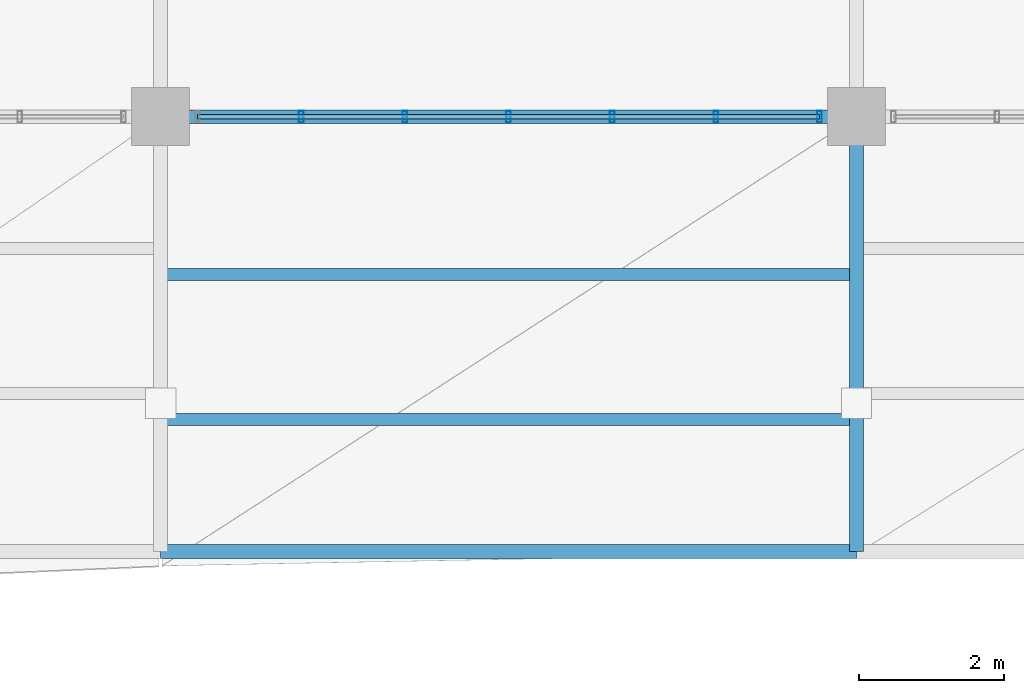
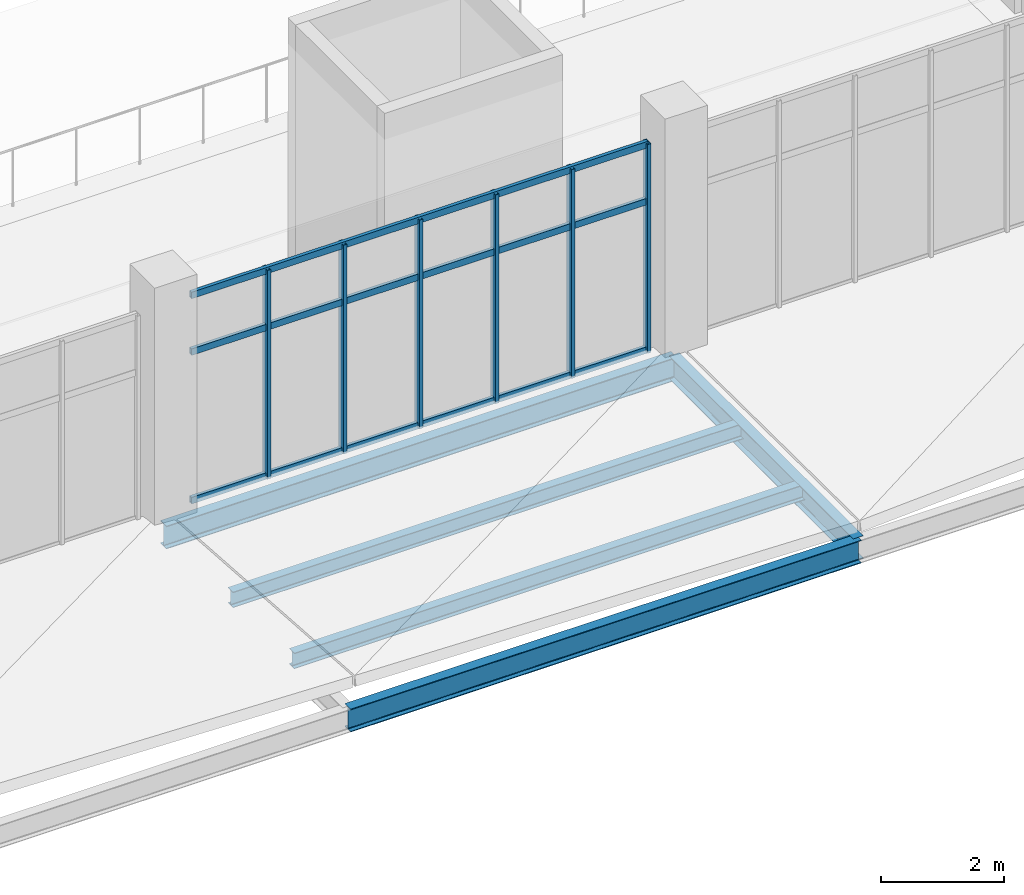
# One storey, part 54 of 157: 9 members, 5 beams, 1 element without a shape of its own.
"""IFC4 building model written with IfcOpenShell, lengths in metres."""

from ifc_helpers import new_model, si_unit, direction, frame, origin, origin_2d, place, context, subcontext, project, spatial, hollow_rectangle, i_section, extrude, material, layer, layer_set, material_profile, profile_set, type_object, element, aggregate, save


model = new_model("IFC4")

# Units and contexts
model_context = context("Model", 3, precision=1e-05, world=origin(), true_north=direction((0.0, 1.0)))
body_context = subcontext(model_context, "Body", "Model", "MODEL_VIEW")
ifc_project = project(units=[si_unit("LENGTHUNIT", "METRE"), si_unit("AREAUNIT", "SQUARE_METRE"), si_unit("VOLUMEUNIT", "CUBIC_METRE"), si_unit("PLANEANGLEUNIT", "RADIAN"), si_unit("MASSUNIT", "GRAM", prefix="KILO")], contexts=[model_context])

# Site, building, storey
site_placement = place(None, origin())
site = spatial("IfcSite", under=ifc_project, at=site_placement, CompositionType="ELEMENT")
building_placement = place(site_placement, origin())
building = spatial("IfcBuilding", under=site, at=building_placement, Name="Chalmorin Arch Market", CompositionType="ELEMENT")
storey_placement = place(building_placement, frame((0.0, 0.0, 4.800048828125)))
storey = spatial("IfcBuildingStorey", under=building, at=storey_placement, Name="L01", CompositionType="ELEMENT", Elevation=4.800048828125)

# Curtain wall, members
ifc_material_1 = material(Name="Aluminium 6063-T6", Category="aluminium")
ifc_layer = layer(ifc_material_1, 0.159912109375)
ifc_layer_set = layer_set([ifc_layer], Name="Aluminium 6063-T6")
curtain_wall_type = type_object("IfcCurtainWallType", Name="MarketClerestoryCurtainWall-CW1-8580x4150", PredefinedType="NOTDEFINED", material=ifc_layer_set)
curtain_wall_placement = place(storey_placement, origin())
curtain_wall = element("IfcCurtainWall", 1, at=curtain_wall_placement, inside=storey, type_object=curtain_wall_type, Name="CW-01-020", PredefinedType="NOTDEFINED")
ifc_material_profile_1 = material_profile(ifc_material_1, hollow_rectangle(XDim=0.06494140625, YDim=0.159912109375, WallThickness=0.00390625, at=origin_2d()), Name="ALU65X160X4")
ifc_profile_set_1 = profile_set([ifc_material_profile_1], Name="Aluminium 6063-T6")
member_type_1 = type_object("IfcMemberType", Name="CurtainWallMullion-65x160", PredefinedType="MULLION", material=ifc_profile_set_1)
member_1_placement = place(storey_placement, frame((107.5400390625, 6.0, 0.0), z_axis=(0.0, 0.0, 1.0), x_axis=(1.0, 0.0, 0.0)))
member_1 = element("IfcMember", 2, at=member_1_placement, type_object=member_type_1, Name="ML-020-02", PredefinedType="MULLION", context=body_context, shape_type="SweptSolid", body=[
    extrude(hollow_rectangle(XDim=0.06494140625, YDim=0.159912109375, WallThickness=0.00390625, at=origin_2d()), origin(), (0.0, 0.0, 1.0), 4.14990234375),
])
member_2_placement = place(storey_placement, frame((108.969970703125, 6.0, 0.0), z_axis=(0.0, 0.0, 1.0), x_axis=(1.0, 0.0, 0.0)))
member_2 = element("IfcMember", 3, at=member_2_placement, type_object=member_type_1, Name="ML-020-03", PredefinedType="MULLION", context=body_context, shape_type="SweptSolid", body=[
    extrude(hollow_rectangle(XDim=0.06494140625, YDim=0.159912109375, WallThickness=0.00390625, at=origin_2d()), origin(), (0.0, 0.0, 1.0), 4.14990234375),
])
member_3_placement = place(storey_placement, frame((110.39990234375, 6.0, 0.0), z_axis=(0.0, 0.0, 1.0), x_axis=(1.0, 0.0, 0.0)))
member_3 = element("IfcMember", 4, at=member_3_placement, type_object=member_type_1, Name="ML-020-04", PredefinedType="MULLION", context=body_context, shape_type="SweptSolid", body=[
    extrude(hollow_rectangle(XDim=0.06494140625, YDim=0.159912109375, WallThickness=0.00390625, at=origin_2d()), origin(), (0.0, 0.0, 1.0), 4.14990234375),
])
member_4_placement = place(storey_placement, frame((111.830078125, 6.0, 0.0), z_axis=(0.0, 0.0, 1.0), x_axis=(1.0, 0.0, 0.0)))
member_4 = element("IfcMember", 5, at=member_4_placement, type_object=member_type_1, Name="ML-020-05", PredefinedType="MULLION", context=body_context, shape_type="SweptSolid", body=[
    extrude(hollow_rectangle(XDim=0.06494140625, YDim=0.159912109375, WallThickness=0.00390625, at=origin_2d()), origin(), (0.0, 0.0, 1.0), 4.14990234375),
])
member_5_placement = place(storey_placement, frame((113.260009765625, 6.0, 0.0), z_axis=(0.0, 0.0, 1.0), x_axis=(1.0, 0.0, 0.0)))
member_5 = element("IfcMember", 6, at=member_5_placement, type_object=member_type_1, Name="ML-020-06", PredefinedType="MULLION", context=body_context, shape_type="SweptSolid", body=[
    extrude(hollow_rectangle(XDim=0.06494140625, YDim=0.159912109375, WallThickness=0.00390625, at=origin_2d()), origin(), (0.0, 0.0, 1.0), 4.14990234375),
])
member_6_placement = place(storey_placement, frame((114.68994140625, 6.0, 0.0), z_axis=(0.0, 0.0, 1.0), x_axis=(1.0, 0.0, 0.0)))
member_6 = element("IfcMember", 7, at=member_6_placement, type_object=member_type_1, Name="ML-020-07", PredefinedType="MULLION", context=body_context, shape_type="SweptSolid", body=[
    extrude(hollow_rectangle(XDim=0.06494140625, YDim=0.159912109375, WallThickness=0.00390625, at=origin_2d()), origin(), (0.0, 0.0, 1.0), 4.14990234375),
])
ifc_material_profile_2 = material_profile(ifc_material_1, hollow_rectangle(XDim=0.06494140625, YDim=0.1298828125, WallThickness=0.00390625, at=origin_2d()), Name="ALU65X130X4")
ifc_profile_set_2 = profile_set([ifc_material_profile_2], Name="Aluminium 6063-T6")
member_type_2 = type_object("IfcMemberType", Name="CurtainWallTransom-65x130", PredefinedType="USERDEFINED", material=ifc_profile_set_2)
member_7_placement = place(storey_placement, frame((106.110107421875, 6.0, 0.034912109375), z_axis=(1.0, 0.0, 0.0), x_axis=(0.0, 1.0, 0.0)))
member_7 = element("IfcMember", 8, at=member_7_placement, type_object=member_type_2, Name="TR-020-01", ObjectType="TRANSOM", PredefinedType="USERDEFINED", context=body_context, shape_type="SweptSolid", body=[
    extrude(hollow_rectangle(XDim=0.06494140625, YDim=0.1298828125, WallThickness=0.00390625, at=origin_2d()), origin(), (0.0, 0.0, 1.0), 8.579833984375),
])
member_8_placement = place(storey_placement, frame((106.110107421875, 6.0, 2.988037109375), z_axis=(1.0, 0.0, 0.0), x_axis=(0.0, 1.0, 0.0)))
member_8 = element("IfcMember", 9, at=member_8_placement, type_object=member_type_2, Name="TR-020-02", ObjectType="TRANSOM", PredefinedType="USERDEFINED", context=body_context, shape_type="SweptSolid", body=[
    extrude(hollow_rectangle(XDim=0.06494140625, YDim=0.1298828125, WallThickness=0.00390625, at=origin_2d()), origin(), (0.0, 0.0, 1.0), 8.579833984375),
])
member_9_placement = place(storey_placement, frame((106.110107421875, 6.0, 4.114990234375), z_axis=(1.0, 0.0, 0.0), x_axis=(0.0, 1.0, 0.0)))
member_9 = element("IfcMember", 10, at=member_9_placement, type_object=member_type_2, Name="TR-020-03", ObjectType="TRANSOM", PredefinedType="USERDEFINED", context=body_context, shape_type="SweptSolid", body=[
    extrude(hollow_rectangle(XDim=0.06494140625, YDim=0.1298828125, WallThickness=0.00390625, at=origin_2d()), origin(), (0.0, 0.0, 1.0), 8.579833984375),
])
aggregate(curtain_wall, [member_1, member_2, member_3, member_4, member_5, member_6, member_7, member_8, member_9])

# Beams
ifc_material_2 = material(Name="Steel A992 Grade 50", Category="steel")
ifc_material_profile_3 = material_profile(ifc_material_2, i_section(OverallWidth=0.19091796875, OverallDepth=0.45703125, WebThickness=0.009033203125, FlangeThickness=0.014404296875, FilletRadius=0.02001953125, at=origin_2d()), Name="W18X50")
ifc_profile_set_3 = profile_set([ifc_material_profile_3], Name="Steel A992 Grade 50")
beam_type_1 = type_object("IfcBeamType", Name="FloorSteelBeam-W18X50", PredefinedType="BEAM", material=ifc_profile_set_3)
beam_placement = place(storey_placement, frame((115.199951171875, 0.0, -0.48046875), z_axis=(0.0, 1.0, 0.0), x_axis=(-1.0, 0.0, 0.0)))
element("IfcBeam", 11, at=beam_placement, inside=storey, type_object=beam_type_1, Name="BM-W18B-1049", PredefinedType="BEAM", context=body_context, shape_type="SweptSolid", body=[
    extrude(i_section(OverallWidth=0.19091796875, OverallDepth=0.45703125, WebThickness=0.009033203125, FlangeThickness=0.014404296875, FilletRadius=0.02001953125, at=origin_2d()), origin(), (0.0, 0.0, 1.0), 6.0),
])
ifc_material_profile_4 = material_profile(ifc_material_2, i_section(OverallWidth=0.19091796875, OverallDepth=0.45703125, WebThickness=0.009033203125, FlangeThickness=0.014404296875, FilletRadius=0.02001953125, at=origin_2d()), Name="W18X50")
ifc_profile_set_4 = profile_set([ifc_material_profile_4], Name="Steel A992 Grade 50")
beam_type_2 = type_object("IfcBeamType", Name="PerimeterSpandrelBeam-W18X50", PredefinedType="SPANDREL", material=ifc_profile_set_4)
for number, where, z_axis, x_axis, name in (
    (12, (105.60009765625, 6.0, -0.48046875), (1.0, 0.0, 0.0), (0.0, 1.0, 0.0), "SP-W18-0619"),
    (13, (105.60009765625, 0.0, -0.48046875), (1.0, 0.0, 0.0), (0.0, 1.0, 0.0), "SP-W18-1048"),
):
    element("IfcBeam", number, at=place(storey_placement, frame(where, z_axis=z_axis, x_axis=x_axis)), inside=storey, type_object=beam_type_2, Name=name, PredefinedType="SPANDREL", context=body_context, shape_type="SweptSolid", body=[
        extrude(i_section(OverallWidth=0.19091796875, OverallDepth=0.45703125, WebThickness=0.009033203125, FlangeThickness=0.014404296875, FilletRadius=0.02001953125, at=origin_2d()), origin(), (0.0, 0.0, 1.0), 9.599853515625),
    ])
ifc_material_profile_5 = material_profile(ifc_material_2, i_section(OverallWidth=0.1650390625, OverallDepth=0.31005859375, WebThickness=0.005859375, FlangeThickness=0.009765625, FilletRadius=0.014892578125, at=origin_2d()), Name="W12X26")
ifc_profile_set_5 = profile_set([ifc_material_profile_5], Name="Steel A992 Grade 50")
beam_type_3 = type_object("IfcBeamType", Name="SecondaryRoofJoist-W12X26", PredefinedType="JOIST", material=ifc_profile_set_5)
for number, where, z_axis, x_axis, name in (
    (14, (105.60009765625, 1.820068359375, -0.406982421875), (1.0, 0.0, 0.0), (0.0, 1.0, 0.0), "BJ-W12-1074"),
    (15, (105.60009765625, 3.820068359375, -0.406982421875), (1.0, 0.0, 0.0), (0.0, 1.0, 0.0), "BJ-W12-1075"),
):
    element("IfcBeam", number, at=place(storey_placement, frame(where, z_axis=z_axis, x_axis=x_axis)), inside=storey, type_object=beam_type_3, Name=name, PredefinedType="JOIST", context=body_context, shape_type="SweptSolid", body=[
        extrude(i_section(OverallWidth=0.1650390625, OverallDepth=0.31005859375, WebThickness=0.005859375, FlangeThickness=0.009765625, FilletRadius=0.014892578125, at=origin_2d()), origin(), (0.0, 0.0, 1.0), 9.599853515625),
    ])

save(model, "model.ifc")
